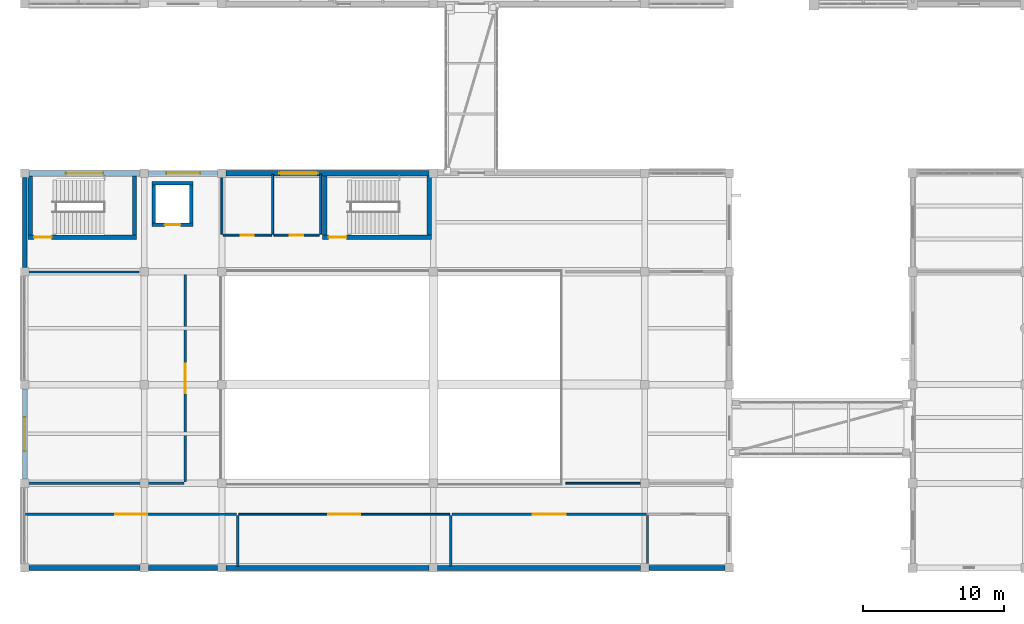
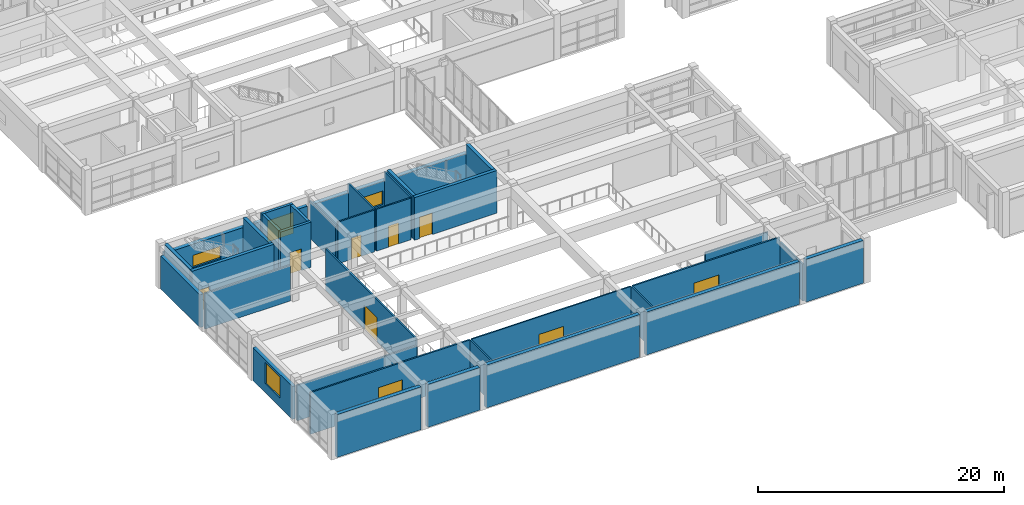
# One storey, part 46 of 72: 35 walls, 9 doors, 4 windows, 13 openings.
"""IFC4 building model written with IfcOpenShell, lengths in metres."""

from ifc_helpers import new_model, si_unit, direction, frame, frame_2d, origin, place, context, subcontext, project, spatial, rectangle, extrude, material, layer, layer_set, type_object, element, fill, save


model = new_model("IFC4")

# Units and contexts
model_context = context("Model", 3, precision=1e-05, world=origin(), true_north=direction((0.0, 1.0)))
body_context = subcontext(model_context, "Body", "Model", "MODEL_VIEW")
ifc_project = project(units=[si_unit("LENGTHUNIT", "METRE"), si_unit("AREAUNIT", "SQUARE_METRE"), si_unit("VOLUMEUNIT", "CUBIC_METRE"), si_unit("PLANEANGLEUNIT", "RADIAN"), si_unit("MASSUNIT", "GRAM", prefix="KILO")], contexts=[model_context])

# Site, building, storey
site_placement = place(None, origin())
site = spatial("IfcSite", under=ifc_project, at=site_placement, CompositionType="ELEMENT")
building_placement = place(site_placement, origin())
building = spatial("IfcBuilding", under=site, at=building_placement, Name="Naurynzar Civic Courthouse", CompositionType="ELEMENT")
storey_placement = place(building_placement, frame((0.0, 0.0, 9.89990234375)))
storey = spatial("IfcBuildingStorey", under=building, at=storey_placement, Name="L03", CompositionType="ELEMENT", Elevation=9.89990234375)

# Wall, opening, door
ifc_material_1 = material(Name="Concrete C40/50", Category="concrete")
ifc_layer_1 = layer(ifc_material_1, 0.300048828125)
ifc_layer_set_1 = layer_set([ifc_layer_1], Name="WL-CORE-300")
wall_type_1 = type_object("IfcWallType", Name="WL-CORE-300", PredefinedType="SHEAR", material=ifc_layer_set_1)
wall_1_placement = place(storey_placement, frame((6.25, 27.449951171875, 0.0), z_axis=(0.0, 0.0, 1.0), x_axis=(1.0, 0.0, 0.0)))
wall_1 = element("IfcWall", 1, at=wall_1_placement, inside=storey, type_object=wall_type_1, Name="Stair ST-V4A enclosure wall south L03", PredefinedType="SHEAR", context=body_context, shape_type="SweptSolid", body=[
    extrude(rectangle(XDim=7.699951171875, YDim=0.300048828125, at=frame_2d((3.85009765625, 0.0))), origin(), (0.0, 0.0, 1.0), 4.239990234375),
])
opening_1_placement = place(wall_1_placement, frame((0.425048828125, 0.0, 0.0)))
opening_1 = element("IfcOpeningElement", 2, at=opening_1_placement, cuts=wall_1, Name="Opening SD-014", PredefinedType="OPENING", context=body_context, shape_type="SweptSolid", body=[
    extrude(rectangle(XDim=1.25, YDim=2.14990234375, at=frame_2d((0.625, 1.074951171875))), frame((0.0, 0.159912109375, 0.0), z_axis=(0.0, -1.0, 0.0), x_axis=(1.0, 0.0, 0.0)), (0.0, 0.0, 1.0), 0.320068359375),
])
ifc_material_2 = material(Name="Powder-Coated Galvanised Steel", Category="steel")
door_type_1 = type_object("IfcDoorType", Name="DR-STAIR-1250x2150", OperationType="NOTDEFINED", PredefinedType="DOOR", material=ifc_material_2)
door_1_placement = place(opening_1_placement, origin())
door_1 = element("IfcDoor", 3, at=door_1_placement, inside=storey, type_object=door_type_1, Name="Stair ST-V4A fire door L03", OperationType="SINGLE_SWING_RIGHT", OverallHeight=2.14990234375, OverallWidth=1.25, PredefinedType="DOOR", context=body_context, shape_type="SweptSolid", body=[
    extrude(rectangle(XDim=1.25, YDim=2.14990234375, at=frame_2d((0.625, 1.074951171875))), frame((0.0, 0.02490234375, 0.0), z_axis=(0.0, -1.0, 0.0), x_axis=(1.0, 0.0, 0.0)), (0.0, 0.0, 1.0), 0.050048828125),
])
fill(opening_1, door_1)

# Walls
for number, where, z_axis, x_axis, name in (
    (4, (6.39990234375, 31.804931640625, 0.0), (0.0, 0.0, 1.0), (0.0, -1.0, 0.0), "Stair ST-V4A enclosure wall west L03"),
    (5, (13.800048828125, 27.60498046875, 0.0), (0.0, 0.0, 1.0), (0.0, 1.0, 0.0), "Stair ST-V4A enclosure wall east L03"),
):
    element("IfcWall", number, at=place(storey_placement, frame(where, z_axis=z_axis, x_axis=x_axis)), inside=storey, type_object=wall_type_1, Name=name, PredefinedType="SHEAR", context=body_context, shape_type="SweptSolid", body=[
        extrude(rectangle(XDim=4.199951171875, YDim=0.300048828125, at=frame_2d((2.10009765625, 0.0))), origin(), (0.0, 0.0, 1.0), 4.239990234375),
    ])

# Wall, opening, door
wall_2_placement = place(storey_placement, frame((27.14990234375, 27.449951171875, 0.0), z_axis=(0.0, 0.0, 1.0), x_axis=(1.0, 0.0, 0.0)))
wall_2 = element("IfcWall", 6, at=wall_2_placement, inside=storey, type_object=wall_type_1, Name="Stair ST-V4B enclosure wall south L03", PredefinedType="SHEAR", context=body_context, shape_type="SweptSolid", body=[
    extrude(rectangle(XDim=7.7001953125, YDim=0.300048828125, at=frame_2d((3.85009765625, 0.0))), origin(), (0.0, 0.0, 1.0), 4.239990234375),
])
opening_2_placement = place(wall_2_placement, frame((0.425048828125, 0.0, 0.0)))
opening_2 = element("IfcOpeningElement", 7, at=opening_2_placement, cuts=wall_2, Name="Opening SD-020", PredefinedType="OPENING", context=body_context, shape_type="SweptSolid", body=[
    extrude(rectangle(XDim=1.25, YDim=2.14990234375, at=frame_2d((0.625, 1.074951171875))), frame((0.0, 0.159912109375, 0.0), z_axis=(0.0, -1.0, 0.0), x_axis=(1.0, 0.0, 0.0)), (0.0, 0.0, 1.0), 0.320068359375),
])
door_2_placement = place(opening_2_placement, origin())
door_2 = element("IfcDoor", 8, at=door_2_placement, inside=storey, type_object=door_type_1, Name="Stair ST-V4B fire door L03", OperationType="SINGLE_SWING_RIGHT", OverallHeight=2.14990234375, OverallWidth=1.25, PredefinedType="DOOR", context=body_context, shape_type="SweptSolid", body=[
    extrude(rectangle(XDim=1.25, YDim=2.14990234375, at=frame_2d((0.625, 1.074951171875))), frame((0.0, 0.02490234375, 0.0), z_axis=(0.0, -1.0, 0.0), x_axis=(1.0, 0.0, 0.0)), (0.0, 0.0, 1.0), 0.050048828125),
])
fill(opening_2, door_2)

# Walls
for number, where, z_axis, x_axis, name in (
    (9, (27.300048828125, 31.804931640625, 0.0), (0.0, 0.0, 1.0), (0.0, -1.0, 0.0), "Stair ST-V4B enclosure wall west L03"),
    (10, (34.699951171875, 27.60498046875, 0.0), (0.0, 0.0, 1.0), (0.0, 1.0, 0.0), "Stair ST-V4B enclosure wall east L03"),
):
    element("IfcWall", number, at=place(storey_placement, frame(where, z_axis=z_axis, x_axis=x_axis)), inside=storey, type_object=wall_type_1, Name=name, PredefinedType="SHEAR", context=body_context, shape_type="SweptSolid", body=[
        extrude(rectangle(XDim=4.199951171875, YDim=0.300048828125, at=frame_2d((2.10009765625, 0.0))), origin(), (0.0, 0.0, 1.0), 4.239990234375),
    ])

# Wall, opening, window
ifc_material_3 = material(Name="Precast concrete C40/50", Category="concrete")
ifc_layer_2 = layer(ifc_material_3, 0.320068359375)
ifc_layer_set_2 = layer_set([ifc_layer_2], Name="WL-EXT-320")
wall_type_2 = type_object("IfcWallType", Name="WL-EXT-320", PredefinedType="SOLIDWALL", material=ifc_layer_set_2)
wall_3_placement = place(storey_placement, frame((6.0, 10.300048828125, 0.0), z_axis=(0.0, 0.0, 1.0), x_axis=(0.0, 1.0, 0.0)))
wall_3 = element("IfcWall", 11, at=wall_3_placement, inside=storey, type_object=wall_type_2, Name="V4 exterior wall west L03.2.1", PredefinedType="SOLIDWALL", context=body_context, shape_type="SweptSolid", body=[
    extrude(rectangle(XDim=6.39990234375, YDim=0.320068359375, at=frame_2d((3.199951171875, 0.0))), origin(), (0.0, 0.0, 1.0), 3.260009765625),
])
opening_3_placement = place(wall_3_placement, frame((2.0, 0.0, 0.89990234375)))
opening_3 = element("IfcOpeningElement", 12, at=opening_3_placement, cuts=wall_3, Name="Opening WN-01", PredefinedType="OPENING", context=body_context, shape_type="SweptSolid", body=[
    extrude(rectangle(XDim=2.39990234375, YDim=2.10009765625, at=frame_2d((1.199951171875, 1.050048828125))), frame((0.0, 0.169921875, 0.0), z_axis=(0.0, -1.0, 0.0), x_axis=(1.0, 0.0, 0.0)), (0.0, 0.0, 1.0), 0.340087890625),
])
ifc_material_4 = material(Name="Tempered Laminated Low-E Glass", Category="glass")
window_type_1 = type_object("IfcWindowType", Name="WIN-COURT-2400x2100", PartitioningType="DOUBLE_PANEL_VERTICAL", PredefinedType="WINDOW", material=ifc_material_4)
window_1_placement = place(opening_3_placement, origin())
window_1 = element("IfcWindow", 13, at=window_1_placement, inside=storey, type_object=window_type_1, Name="V4 window 222 L03", OverallHeight=2.10009765625, OverallWidth=2.39990234375, PartitioningType="SINGLE_PANEL", PredefinedType="WINDOW", context=body_context, shape_type="SweptSolid", body=[
    extrude(rectangle(XDim=2.39990234375, YDim=2.10009765625, at=frame_2d((1.199951171875, 1.050048828125))), frame((0.0, 0.030029296875, 0.0), z_axis=(0.0, -1.0, 0.0), x_axis=(1.0, 0.0, 0.0)), (0.0, 0.0, 1.0), 0.06005859375),
])
fill(opening_3, window_1)

# Wall
wall_4_placement = place(storey_placement, frame((6.0, 25.300048828125, 0.0), z_axis=(0.0, 0.0, 1.0), x_axis=(0.0, 1.0, 0.0)))
element("IfcWall", 14, at=wall_4_placement, inside=storey, type_object=wall_type_2, Name="V4 exterior wall west L03.4.1", PredefinedType="SOLIDWALL", context=body_context, shape_type="SweptSolid", body=[
    extrude(rectangle(XDim=6.39990234375, YDim=0.320068359375, at=frame_2d((3.199951171875, 0.0))), origin(), (0.0, 0.0, 1.0), 3.260009765625),
])

# Wall, opening, window
wall_5_placement = place(storey_placement, frame((14.800048828125, 32.0, 0.0), z_axis=(0.0, 0.0, 1.0), x_axis=(1.0, 0.0, 0.0)))
wall_5 = element("IfcWall", 15, at=wall_5_placement, inside=storey, type_object=wall_type_2, Name="V4 exterior wall north L03.2.1", PredefinedType="SOLIDWALL", context=body_context, shape_type="SweptSolid", body=[
    extrude(rectangle(XDim=4.89990234375, YDim=0.320068359375, at=frame_2d((2.449951171875, 0.0))), origin(), (0.0, 0.0, 1.0), 3.260009765625),
])
opening_4_placement = place(wall_5_placement, frame((1.25, 0.0, 0.89990234375)))
opening_4 = element("IfcOpeningElement", 16, at=opening_4_placement, cuts=wall_5, Name="Opening WN-01", PredefinedType="OPENING", context=body_context, shape_type="SweptSolid", body=[
    extrude(rectangle(XDim=2.39990234375, YDim=2.10009765625, at=frame_2d((1.199951171875, 1.050048828125))), frame((0.0, 0.169921875, 0.0), z_axis=(0.0, -1.0, 0.0), x_axis=(1.0, 0.0, 0.0)), (0.0, 0.0, 1.0), 0.340087890625),
])
window_2_placement = place(opening_4_placement, origin())
window_2 = element("IfcWindow", 17, at=window_2_placement, inside=storey, type_object=window_type_1, Name="V4 window 223 L03", OverallHeight=2.10009765625, OverallWidth=2.39990234375, PartitioningType="SINGLE_PANEL", PredefinedType="WINDOW", context=body_context, shape_type="SweptSolid", body=[
    extrude(rectangle(XDim=2.39990234375, YDim=2.10009765625, at=frame_2d((1.199951171875, 1.050048828125))), frame((0.0, 0.030029296875, 0.0), z_axis=(0.0, -1.0, 0.0), x_axis=(1.0, 0.0, 0.0)), (0.0, 0.0, 1.0), 0.06005859375),
])
fill(opening_4, window_2)

# Wall, opening, door
ifc_material_5 = material(Name="Fire-Rated Corridor Gypsum Partition")
ifc_layer_3 = layer(ifc_material_5, 0.14990234375)
ifc_layer_set_3 = layer_set([ifc_layer_3], Name="WL-PART-CORR-150")
wall_type_3 = type_object("IfcWallType", Name="WL-PART-CORR-150", PredefinedType="PARTITIONING", material=ifc_layer_set_3)
wall_6_placement = place(storey_placement, frame((6.080078125, 7.800048828125, 0.0), z_axis=(0.0, 0.0, 1.0), x_axis=(1.0, 0.0, 0.0)))
wall_6 = element("IfcWall", 18, at=wall_6_placement, inside=storey, type_object=wall_type_3, Name="V4 interior partition L03.306", PredefinedType="PARTITIONING", context=body_context, shape_type="SweptSolid", body=[
    extrude(rectangle(XDim=14.9599609375, YDim=0.14990234375, at=frame_2d((7.47998046875, 0.0))), origin(), (0.0, 0.0, 1.0), 4.14013671875),
])
opening_5_placement = place(wall_6_placement, frame((6.35498046875, 0.0, 0.0)))
opening_5 = element("IfcOpeningElement", 19, at=opening_5_placement, cuts=wall_6, Name="Opening D-075", PredefinedType="OPENING", context=body_context, shape_type="SweptSolid", body=[
    extrude(rectangle(XDim=2.25, YDim=2.39990234375, at=frame_2d((1.125, 1.199951171875))), frame((0.0, 0.0849609375, 0.0), z_axis=(0.0, -1.0, 0.0), x_axis=(1.0, 0.0, 0.0)), (0.0, 0.0, 1.0), 0.169921875),
])
ifc_material_6 = material(Name="Acoustic Oak Timber Grade A", Category="wood")
door_type_2 = type_object("IfcDoorType", Name="DR-SUITE-2250x2400", OperationType="DOUBLE_DOOR_SINGLE_SWING", PredefinedType="DOOR", material=ifc_material_6)
door_3_placement = place(opening_5_placement, origin())
door_3 = element("IfcDoor", 20, at=door_3_placement, inside=storey, type_object=door_type_2, Name="Interior door D-075 (Court Translation Suite)", OperationType="DOUBLE_DOOR_SINGLE_SWING", OverallHeight=2.39990234375, OverallWidth=2.25, PredefinedType="DOOR", context=body_context, shape_type="SweptSolid", body=[
    extrude(rectangle(XDim=2.25, YDim=2.39990234375, at=frame_2d((1.125, 1.199951171875))), frame((0.0, 0.02490234375, 0.0), z_axis=(0.0, -1.0, 0.0), x_axis=(1.0, 0.0, 0.0)), (0.0, 0.0, 1.0), 0.050048828125),
])
fill(opening_5, door_3)

wall_7_placement = place(storey_placement, frame((36.31005859375, 7.800048828125, 0.0), z_axis=(0.0, 0.0, 1.0), x_axis=(1.0, 0.0, 0.0)))
wall_7 = element("IfcWall", 21, at=wall_7_placement, inside=storey, type_object=wall_type_3, Name="V4 interior partition L03.308", PredefinedType="PARTITIONING", context=body_context, shape_type="SweptSolid", body=[
    extrude(rectangle(XDim=13.800048828125, YDim=0.14990234375, at=frame_2d((6.89990234375, 0.0))), origin(), (0.0, 0.0, 1.0), 4.14013671875),
])
opening_6_placement = place(wall_7_placement, frame((5.72509765625, 0.0, 0.0)))
opening_6 = element("IfcOpeningElement", 22, at=opening_6_placement, cuts=wall_7, Name="Opening D-077", PredefinedType="OPENING", context=body_context, shape_type="SweptSolid", body=[
    extrude(rectangle(XDim=2.35009765625, YDim=2.39990234375, at=frame_2d((1.175048828125, 1.199951171875))), frame((0.0, 0.0849609375, 0.0), z_axis=(0.0, -1.0, 0.0), x_axis=(1.0, 0.0, 0.0)), (0.0, 0.0, 1.0), 0.169921875),
])
ifc_material_7 = material(Name="Acoustic Oak Timber Grade A", Category="wood")
door_type_3 = type_object("IfcDoorType", Name="DR-SUITE-2350x2400", OperationType="DOUBLE_DOOR_SINGLE_SWING", PredefinedType="DOOR", material=ifc_material_7)
door_4_placement = place(opening_6_placement, origin())
door_4 = element("IfcDoor", 23, at=door_4_placement, inside=storey, type_object=door_type_3, Name="Interior door D-077 (Public Ombudsman Office)", OperationType="DOUBLE_DOOR_SINGLE_SWING", OverallHeight=2.39990234375, OverallWidth=2.35009765625, PredefinedType="DOOR", context=body_context, shape_type="SweptSolid", body=[
    extrude(rectangle(XDim=2.35009765625, YDim=2.39990234375, at=frame_2d((1.175048828125, 1.199951171875))), frame((0.0, 0.02490234375, 0.0), z_axis=(0.0, -1.0, 0.0), x_axis=(1.0, 0.0, 0.0)), (0.0, 0.0, 1.0), 0.050048828125),
])
fill(opening_6, door_4)

# Walls
wall_8_placement = place(storey_placement, frame((6.080078125, 10.0, 0.0), z_axis=(0.0, 0.0, 1.0), x_axis=(1.0, 0.0, 0.0)))
element("IfcWall", 24, at=wall_8_placement, inside=storey, type_object=wall_type_3, Name="V4 interior partition L03.313", PredefinedType="PARTITIONING", context=body_context, shape_type="SweptSolid", body=[
    extrude(rectangle(XDim=11.239990234375, YDim=0.14990234375, at=frame_2d((5.6201171875, 0.0))), origin(), (0.0, 0.0, 1.0), 3.530029296875),
])
wall_9_placement = place(storey_placement, frame((6.080078125, 25.0, 0.0), z_axis=(0.0, 0.0, 1.0), x_axis=(1.0, 0.0, 0.0)))
element("IfcWall", 25, at=wall_9_placement, inside=storey, type_object=wall_type_3, Name="V4 interior partition L03.325", PredefinedType="PARTITIONING", context=body_context, shape_type="SweptSolid", body=[
    extrude(rectangle(XDim=8.02001953125, YDim=0.14990234375, at=frame_2d((4.010009765625, 0.0))), origin(), (0.0, 0.0, 1.0), 3.530029296875),
])

# Wall, opening, door
wall_10_placement = place(storey_placement, frame((17.39990234375, 10.080078125, 0.0), z_axis=(0.0, 0.0, 1.0), x_axis=(0.0, 1.0, 0.0)))
wall_10 = element("IfcWall", 26, at=wall_10_placement, inside=storey, type_object=wall_type_3, Name="V4 interior partition L03.385", PredefinedType="PARTITIONING", context=body_context, shape_type="SweptSolid", body=[
    extrude(rectangle(XDim=14.719970703125, YDim=0.14990234375, at=frame_2d((7.35986328125, 0.0))), origin(), (0.0, 0.0, 1.0), 4.14013671875),
])
opening_7_placement = place(wall_10_placement, frame((6.31005859375, 0.0, 0.0)))
opening_7 = element("IfcOpeningElement", 27, at=opening_7_placement, cuts=wall_10, Name="Opening D-073", PredefinedType="OPENING", context=body_context, shape_type="SweptSolid", body=[
    extrude(rectangle(XDim=2.10009765625, YDim=2.35009765625, at=frame_2d((1.050048828125, 1.175048828125))), frame((0.0, 0.0849609375, 0.0), z_axis=(0.0, -1.0, 0.0), x_axis=(1.0, 0.0, 0.0)), (0.0, 0.0, 1.0), 0.169921875),
])
ifc_material_8 = material(Name="Acoustic Oak Timber Grade A", Category="wood")
door_type_4 = type_object("IfcDoorType", Name="DR-SUITE-2100x2350", OperationType="DOUBLE_DOOR_SINGLE_SWING", PredefinedType="DOOR", material=ifc_material_8)
door_5_placement = place(opening_7_placement, origin())
door_5 = element("IfcDoor", 28, at=door_5_placement, inside=storey, type_object=door_type_4, Name="Interior door D-073 (Citizen E-Justice Service Hall)", OperationType="DOUBLE_DOOR_SINGLE_SWING", OverallHeight=2.35009765625, OverallWidth=2.10009765625, PredefinedType="DOOR", context=body_context, shape_type="SweptSolid", body=[
    extrude(rectangle(XDim=2.10009765625, YDim=2.35009765625, at=frame_2d((1.050048828125, 1.175048828125))), frame((0.0, 0.02490234375, 0.0), z_axis=(0.0, -1.0, 0.0), x_axis=(1.0, 0.0, 0.0)), (0.0, 0.0, 1.0), 0.050048828125),
])
fill(opening_7, door_5)

# Walls
for number, where, z_axis, x_axis, name in (
    (29, (21.1201171875, 4.080078125, 0.0), (0.0, 0.0, 1.0), (0.0, 1.0, 0.0), "V4 interior partition L03.388"),
    (30, (36.22998046875, 4.080078125, 0.0), (0.0, 0.0, 1.0), (0.0, 1.0, 0.0), "V4 interior partition L03.395"),
):
    element("IfcWall", number, at=place(storey_placement, frame(where, z_axis=z_axis, x_axis=x_axis)), inside=storey, type_object=wall_type_3, Name=name, PredefinedType="PARTITIONING", context=body_context, shape_type="SweptSolid", body=[
        extrude(rectangle(XDim=3.639892578125, YDim=0.14990234375, at=frame_2d((1.81982421875, 0.0))), origin(), (0.0, 0.0, 1.0), 4.14013671875),
    ])
wall_11_placement = place(storey_placement, frame((50.18994140625, 4.080078125, 0.0), z_axis=(0.0, 0.0, 1.0), x_axis=(0.0, 1.0, 0.0)))
element("IfcWall", 31, at=wall_11_placement, inside=storey, type_object=wall_type_3, Name="V4 interior partition L03.397", PredefinedType="PARTITIONING", context=body_context, shape_type="SweptSolid", body=[
    extrude(rectangle(XDim=3.639892578125, YDim=0.14990234375, at=frame_2d((1.81982421875, 0.0))), origin(), (0.0, 0.0, 1.0), 3.68017578125),
])

# Wall, opening, door
ifc_material_9 = material(Name="Metal-Stud Gypsum Partition")
ifc_layer_4 = layer(ifc_material_9, 0.125)
ifc_layer_set_4 = layer_set([ifc_layer_4], Name="WL-PART-STD-125")
wall_type_4 = type_object("IfcWallType", Name="WL-PART-STD-125", PredefinedType="PARTITIONING", material=ifc_layer_set_4)
wall_12_placement = place(storey_placement, frame((21.199951171875, 7.800048828125, 0.0), z_axis=(0.0, 0.0, 1.0), x_axis=(1.0, 0.0, 0.0)))
wall_12 = element("IfcWall", 32, at=wall_12_placement, inside=storey, type_object=wall_type_4, Name="V4 interior partition L03.307", PredefinedType="PARTITIONING", context=body_context, shape_type="SweptSolid", body=[
    extrude(rectangle(XDim=14.949951171875, YDim=0.125, at=frame_2d((7.47509765625, 0.0))), origin(), (0.0, 0.0, 1.0), 4.14013671875),
])
opening_8_placement = place(wall_12_placement, frame((6.324951171875, 0.0, 0.0)))
opening_8 = element("IfcOpeningElement", 33, at=opening_8_placement, cuts=wall_12, Name="Opening D-076", PredefinedType="OPENING", context=body_context, shape_type="SweptSolid", body=[
    extrude(rectangle(XDim=2.300048828125, YDim=2.39990234375, at=frame_2d((1.14990234375, 1.199951171875))), frame((0.0, 0.072509765625, 0.0), z_axis=(0.0, -1.0, 0.0), x_axis=(1.0, 0.0, 0.0)), (0.0, 0.0, 1.0), 0.14501953125),
])
ifc_material_10 = material(Name="Acoustic Oak Timber Grade A", Category="wood")
door_type_5 = type_object("IfcDoorType", Name="DR-SUITE-2300x2400", OperationType="DOUBLE_DOOR_SINGLE_SWING", PredefinedType="DOOR", material=ifc_material_10)
door_6_placement = place(opening_8_placement, origin())
door_6 = element("IfcDoor", 34, at=door_6_placement, inside=storey, type_object=door_type_5, Name="Interior door D-076 (Legal Aid Consultation Room)", OperationType="DOUBLE_DOOR_SINGLE_SWING", OverallHeight=2.39990234375, OverallWidth=2.300048828125, PredefinedType="DOOR", context=body_context, shape_type="SweptSolid", body=[
    extrude(rectangle(XDim=2.300048828125, YDim=2.39990234375, at=frame_2d((1.14990234375, 1.199951171875))), frame((0.0, 0.02490234375, 0.0), z_axis=(0.0, -1.0, 0.0), x_axis=(1.0, 0.0, 0.0)), (0.0, 0.0, 1.0), 0.050048828125),
])
fill(opening_8, door_6)

# Wall
wall_13_placement = place(storey_placement, frame((44.39990234375, 10.0, 0.0), z_axis=(0.0, 0.0, 1.0), x_axis=(1.0, 0.0, 0.0)))
element("IfcWall", 35, at=wall_13_placement, inside=storey, type_object=wall_type_4, Name="V4 interior partition L03.314a", PredefinedType="PARTITIONING", context=body_context, shape_type="SweptSolid", body=[
    extrude(rectangle(XDim=5.900146484375, YDim=0.125, at=frame_2d((2.9501953125, 0.0))), origin(), (0.0, 0.0, 1.0), 3.280029296875),
])

# Wall, opening, door
ifc_material_11 = material(Name="Moisture-Resistant Plumbing Partition")
ifc_layer_5 = layer(ifc_material_11, 0.139892578125)
ifc_layer_set_5 = layer_set([ifc_layer_5], Name="WL-PART-WC-140")
wall_type_5 = type_object("IfcWallType", Name="WL-PART-WC-140", PredefinedType="PLUMBINGWALL", material=ifc_layer_set_5)
wall_14_placement = place(storey_placement, frame((20.080078125, 27.60009765625, 0.0), z_axis=(0.0, 0.0, 1.0), x_axis=(1.0, 0.0, 0.0)))
wall_14 = element("IfcWall", 36, at=wall_14_placement, inside=storey, type_object=wall_type_5, Name="V4 interior partition L03.332", PredefinedType="PLUMBINGWALL", context=body_context, shape_type="SweptSolid", body=[
    extrude(rectangle(XDim=3.43994140625, YDim=0.139892578125, at=frame_2d((1.719970703125, 0.0))), origin(), (0.0, 0.0, 1.0), 4.14013671875),
])
opening_9_placement = place(wall_14_placement, frame((1.260009765625, 0.0, 0.0)))
opening_9 = element("IfcOpeningElement", 37, at=opening_9_placement, cuts=wall_14, Name="Opening D-071", PredefinedType="OPENING", context=body_context, shape_type="SweptSolid", body=[
    extrude(rectangle(XDim=0.919921875, YDim=2.10009765625, at=frame_2d((0.4599609375, 1.050048828125))), frame((0.0, 0.079833984375, 0.0), z_axis=(0.0, -1.0, 0.0), x_axis=(1.0, 0.0, 0.0)), (0.0, 0.0, 1.0), 0.159912109375),
])
ifc_material_12 = material(Name="Acoustic Oak Timber Grade A", Category="wood")
door_type_6 = type_object("IfcDoorType", Name="DR-WC-STD-920x2100", OperationType="NOTDEFINED", PredefinedType="DOOR", material=ifc_material_12)
door_7_placement = place(opening_9_placement, origin())
door_7 = element("IfcDoor", 38, at=door_7_placement, inside=storey, type_object=door_type_6, Name="Interior door D-071 (Public WC V4)", OperationType="SINGLE_SWING_LEFT", OverallHeight=2.10009765625, OverallWidth=0.919921875, PredefinedType="DOOR", context=body_context, shape_type="SweptSolid", body=[
    extrude(rectangle(XDim=0.919921875, YDim=2.10009765625, at=frame_2d((0.4599609375, 1.050048828125))), frame((0.0, 0.02490234375, 0.0), z_axis=(0.0, -1.0, 0.0), x_axis=(1.0, 0.0, 0.0)), (0.0, 0.0, 1.0), 0.050048828125),
])
fill(opening_9, door_7)

wall_15_placement = place(storey_placement, frame((23.679931640625, 27.60009765625, 0.0), z_axis=(0.0, 0.0, 1.0), x_axis=(1.0, 0.0, 0.0)))
wall_15 = element("IfcWall", 39, at=wall_15_placement, inside=storey, type_object=wall_type_5, Name="V4 interior partition L03.333", PredefinedType="PLUMBINGWALL", context=body_context, shape_type="SweptSolid", body=[
    extrude(rectangle(XDim=3.239990234375, YDim=0.139892578125, at=frame_2d((1.6201171875, 0.0))), origin(), (0.0, 0.0, 1.0), 4.14013671875),
])
opening_10_placement = place(wall_15_placement, frame((1.139892578125, 0.0, 0.0)))
opening_10 = element("IfcOpeningElement", 40, at=opening_10_placement, cuts=wall_15, Name="Opening D-072", PredefinedType="OPENING", context=body_context, shape_type="SweptSolid", body=[
    extrude(rectangle(XDim=0.9599609375, YDim=2.10009765625, at=frame_2d((0.47998046875, 1.050048828125))), frame((0.0, 0.079833984375, 0.0), z_axis=(0.0, -1.0, 0.0), x_axis=(1.0, 0.0, 0.0)), (0.0, 0.0, 1.0), 0.159912109375),
])
ifc_material_13 = material(Name="Acoustic Oak Timber Grade A", Category="wood")
door_type_7 = type_object("IfcDoorType", Name="DR-WC-ACC-960x2100", OperationType="NOTDEFINED", PredefinedType="DOOR", material=ifc_material_13)
door_8_placement = place(opening_10_placement, origin())
door_8 = element("IfcDoor", 41, at=door_8_placement, inside=storey, type_object=door_type_7, Name="Interior door D-072 (Accessible WC V4)", OperationType="SINGLE_SWING_RIGHT", OverallHeight=2.10009765625, OverallWidth=0.9599609375, PredefinedType="DOOR", context=body_context, shape_type="SweptSolid", body=[
    extrude(rectangle(XDim=0.9599609375, YDim=2.10009765625, at=frame_2d((0.47998046875, 1.050048828125))), frame((0.0, 0.02490234375, 0.0), z_axis=(0.0, -1.0, 0.0), x_axis=(1.0, 0.0, 0.0)), (0.0, 0.0, 1.0), 0.050048828125),
])
fill(opening_10, door_8)

# Walls
wall_16_placement = place(storey_placement, frame((20.0, 27.679931640625, 0.0), z_axis=(0.0, 0.0, 1.0), x_axis=(0.0, 1.0, 0.0)))
element("IfcWall", 42, at=wall_16_placement, inside=storey, type_object=wall_type_5, Name="V4 interior partition L03.387", PredefinedType="PLUMBINGWALL", context=body_context, shape_type="SweptSolid", body=[
    extrude(rectangle(XDim=4.239990234375, YDim=0.139892578125, at=frame_2d((2.1201171875, 0.0))), origin(), (0.0, 0.0, 1.0), 3.68017578125),
])
for number, where, z_axis, x_axis, name in (
    (43, (23.60009765625, 27.679931640625, 0.0), (0.0, 0.0, 1.0), (0.0, 1.0, 0.0), "V4 interior partition L03.389"),
    (44, (27.0, 27.679931640625, 0.0), (0.0, 0.0, 1.0), (0.0, 1.0, 0.0), "V4 interior partition L03.390"),
):
    element("IfcWall", number, at=place(storey_placement, frame(where, z_axis=z_axis, x_axis=x_axis)), inside=storey, type_object=wall_type_5, Name=name, PredefinedType="PLUMBINGWALL", context=body_context, shape_type="SweptSolid", body=[
        extrude(rectangle(XDim=4.239990234375, YDim=0.139892578125, at=frame_2d((2.1201171875, 0.0))), origin(), (0.0, 0.0, 1.0), 4.14013671875),
    ])
ifc_material_14 = material(Name="Concrete C40/50", Category="concrete")
ifc_layer_6 = layer(ifc_material_14, 0.360107421875)
ifc_layer_set_6 = layer_set([ifc_layer_6], Name="WL-PARTY-360")
wall_type_6 = type_object("IfcWallType", Name="WL-PARTY-360", PredefinedType="SOLIDWALL", material=ifc_layer_set_6)
wall_17_placement = place(storey_placement, frame((55.699951171875, 4.0, 0.0), z_axis=(0.0, 0.0, 1.0), x_axis=(-1.0, 0.0, 0.0)))
element("IfcWall", 45, at=wall_17_placement, inside=storey, type_object=wall_type_6, Name="V4 solid seismic party wall L03 1", PredefinedType="SOLIDWALL", context=body_context, shape_type="SweptSolid", body=[
    extrude(rectangle(XDim=5.39990234375, YDim=0.360107421875, at=frame_2d((2.699951171875, 0.0))), origin(), (0.0, 0.0, 1.0), 4.239990234375),
])
for number, where, z_axis, x_axis, name in (
    (46, (49.699951171875, 4.0, 0.0), (0.0, 0.0, 1.0), (-1.0, 0.0, 0.0), "V4 solid seismic party wall L03 2"),
    (47, (34.699951171875, 4.0, 0.0), (0.0, 0.0, 1.0), (-1.0, 0.0, 0.0), "V4 solid seismic party wall L03 3"),
):
    element("IfcWall", number, at=place(storey_placement, frame(where, z_axis=z_axis, x_axis=x_axis)), inside=storey, type_object=wall_type_6, Name=name, PredefinedType="SOLIDWALL", context=body_context, shape_type="SweptSolid", body=[
        extrude(rectangle(XDim=14.39990234375, YDim=0.360107421875, at=frame_2d((7.199951171875, 0.0))), origin(), (0.0, 0.0, 1.0), 4.239990234375),
    ])
wall_18_placement = place(storey_placement, frame((19.699951171875, 4.0, 0.0), z_axis=(0.0, 0.0, 1.0), x_axis=(-1.0, 0.0, 0.0)))
element("IfcWall", 48, at=wall_18_placement, inside=storey, type_object=wall_type_6, Name="V4 solid seismic party wall L03 4", PredefinedType="SOLIDWALL", context=body_context, shape_type="SweptSolid", body=[
    extrude(rectangle(XDim=4.89990234375, YDim=0.360107421875, at=frame_2d((2.449951171875, 0.0))), origin(), (0.0, 0.0, 1.0), 4.239990234375),
])
wall_19_placement = place(storey_placement, frame((14.199951171875, 4.0, 0.0), z_axis=(0.0, 0.0, 1.0), x_axis=(-1.0, 0.0, 0.0)))
element("IfcWall", 49, at=wall_19_placement, inside=storey, type_object=wall_type_6, Name="V4 solid seismic party wall L03 5", PredefinedType="SOLIDWALL", context=body_context, shape_type="SweptSolid", body=[
    extrude(rectangle(XDim=7.89990234375, YDim=0.360107421875, at=frame_2d((3.949951171875, 0.0))), origin(), (0.0, 0.0, 1.0), 4.239990234375),
])

# Wall, opening, window
ifc_material_15 = material(Name="Concrete C40/50", Category="concrete")
ifc_layer_7 = layer(ifc_material_15, 0.3798828125)
ifc_layer_set_7 = layer_set([ifc_layer_7], Name="WL-RET-380")
wall_type_7 = type_object("IfcWallType", Name="WL-RET-380", PredefinedType="STANDARD", material=ifc_layer_set_7)
wall_20_placement = place(storey_placement, frame((6.300048828125, 32.0, 0.0), z_axis=(0.0, 0.0, 1.0), x_axis=(1.0, 0.0, 0.0)))
wall_20 = element("IfcWall", 50, at=wall_20_placement, inside=storey, type_object=wall_type_7, Name="V4 exterior wall north L03.1.1", PredefinedType="STANDARD", context=body_context, shape_type="SweptSolid", body=[
    extrude(rectangle(XDim=7.89990234375, YDim=0.3798828125, at=frame_2d((3.949951171875, 0.0))), origin(), (0.0, 0.0, 1.0), 3.260009765625),
])
opening_11_placement = place(wall_20_placement, frame((2.625, 0.0, 0.949951171875)))
opening_11 = element("IfcOpeningElement", 51, at=opening_11_placement, cuts=wall_20, Name="Opening WM-23", PredefinedType="OPENING", context=body_context, shape_type="SweptSolid", body=[
    extrude(rectangle(XDim=2.64990234375, YDim=1.199951171875, at=frame_2d((1.324951171875, 0.60009765625))), frame((0.0, 0.199951171875, 0.0), z_axis=(0.0, -1.0, 0.0), x_axis=(1.0, 0.0, 0.0)), (0.0, 0.0, 1.0), 0.39990234375),
])
ifc_material_16 = material(Name="Tempered Laminated Low-E Glass", Category="glass")
window_type_2 = type_object("IfcWindowType", Name="WIN-MOD-2650x1200", PartitioningType="DOUBLE_PANEL_VERTICAL", PredefinedType="WINDOW", material=ifc_material_16)
window_3_placement = place(opening_11_placement, origin())
window_3 = element("IfcWindow", 52, at=window_3_placement, inside=storey, type_object=window_type_2, Name="Modular glazed window 23", OverallHeight=1.199951171875, OverallWidth=2.64990234375, PartitioningType="SINGLE_PANEL", PredefinedType="WINDOW", context=body_context, shape_type="SweptSolid", body=[
    extrude(rectangle(XDim=2.64990234375, YDim=1.199951171875, at=frame_2d((1.324951171875, 0.60009765625))), frame((0.0, 0.030029296875, 0.0), z_axis=(0.0, -1.0, 0.0), x_axis=(1.0, 0.0, 0.0)), (0.0, 0.0, 1.0), 0.06005859375),
])
fill(opening_11, window_3)

wall_21_placement = place(storey_placement, frame((20.300048828125, 32.0, 0.0), z_axis=(0.0, 0.0, 1.0), x_axis=(1.0, 0.0, 0.0)))
wall_21 = element("IfcWall", 53, at=wall_21_placement, inside=storey, type_object=wall_type_7, Name="V4 exterior wall north L03.3.1", PredefinedType="STANDARD", context=body_context, shape_type="SweptSolid", body=[
    extrude(rectangle(XDim=14.39990234375, YDim=0.3798828125, at=frame_2d((7.199951171875, 0.0))), origin(), (0.0, 0.0, 1.0), 3.260009765625),
])
opening_12_placement = place(wall_21_placement, frame((3.780029296875, 0.0, 0.949951171875)))
opening_12 = element("IfcOpeningElement", 54, at=opening_12_placement, cuts=wall_21, Name="Opening WM-24", PredefinedType="OPENING", context=body_context, shape_type="SweptSolid", body=[
    extrude(rectangle(XDim=2.699951171875, YDim=1.35009765625, at=frame_2d((1.35009765625, 0.675048828125))), frame((0.0, 0.199951171875, 0.0), z_axis=(0.0, -1.0, 0.0), x_axis=(1.0, 0.0, 0.0)), (0.0, 0.0, 1.0), 0.39990234375),
])
ifc_material_17 = material(Name="Tempered Laminated Low-E Glass", Category="glass")
window_type_3 = type_object("IfcWindowType", Name="WIN-MOD-2700x1350", PartitioningType="DOUBLE_PANEL_VERTICAL", PredefinedType="WINDOW", material=ifc_material_17)
window_4_placement = place(opening_12_placement, origin())
window_4 = element("IfcWindow", 55, at=window_4_placement, inside=storey, type_object=window_type_3, Name="Modular glazed window 24", OverallHeight=1.35009765625, OverallWidth=2.699951171875, PartitioningType="SINGLE_PANEL", PredefinedType="WINDOW", context=body_context, shape_type="SweptSolid", body=[
    extrude(rectangle(XDim=2.699951171875, YDim=1.35009765625, at=frame_2d((1.35009765625, 0.675048828125))), frame((0.0, 0.030029296875, 0.0), z_axis=(0.0, -1.0, 0.0), x_axis=(1.0, 0.0, 0.0)), (0.0, 0.0, 1.0), 0.06005859375),
])
fill(opening_12, window_4)

# Wall, opening, door
ifc_material_18 = material(Name="Concrete C40/50", Category="concrete")
ifc_layer_8 = layer(ifc_material_18, 0.25)
ifc_layer_set_8 = layer_set([ifc_layer_8], Name="WL-SHAFT-250")
wall_type_8 = type_object("IfcWallType", Name="WL-SHAFT-250", PredefinedType="SHEAR", material=ifc_layer_set_8)
wall_22_placement = place(storey_placement, frame((15.050048828125, 28.324951171875, 0.0), z_axis=(0.0, 0.0, 1.0), x_axis=(1.0, 0.0, 0.0)))
wall_22 = element("IfcWall", 56, at=wall_22_placement, inside=storey, type_object=wall_type_8, Name="Lift LP-02 shaft wall south L03", PredefinedType="SHEAR", context=body_context, shape_type="SweptSolid", body=[
    extrude(rectangle(XDim=2.89990234375, YDim=0.25, at=frame_2d((1.449951171875, 0.0))), origin(), (0.0, 0.0, 1.0), 4.5),
])
opening_13_placement = place(wall_22_placement, frame((0.89990234375, 0.0, 0.0)))
opening_13 = element("IfcOpeningElement", 57, at=opening_13_placement, cuts=wall_22, Name="Opening LD-014", PredefinedType="OPENING", context=body_context, shape_type="SweptSolid", body=[
    extrude(rectangle(XDim=1.10009765625, YDim=2.14990234375, at=frame_2d((0.550048828125, 1.074951171875))), frame((0.0, 0.135009765625, 0.0), z_axis=(0.0, -1.0, 0.0), x_axis=(1.0, 0.0, 0.0)), (0.0, 0.0, 1.0), 0.27001953125),
])
ifc_material_19 = material(Name="Brushed Stainless Steel 304", Category="steel")
door_type_8 = type_object("IfcDoorType", Name="DR-LIFT-SLIDE-1100x2150", OperationType="DOUBLE_DOOR_SLIDING", PredefinedType="DOOR", material=ifc_material_19)
door_9_placement = place(opening_13_placement, origin())
door_9 = element("IfcDoor", 58, at=door_9_placement, inside=storey, type_object=door_type_8, Name="Lift LP-02 sliding landing door L03", OperationType="DOUBLE_DOOR_SLIDING", OverallHeight=2.14990234375, OverallWidth=1.10009765625, PredefinedType="DOOR", context=body_context, shape_type="SweptSolid", body=[
    extrude(rectangle(XDim=1.10009765625, YDim=2.14990234375, at=frame_2d((0.550048828125, 1.074951171875))), frame((0.0, 0.02490234375, 0.0), z_axis=(0.0, -1.0, 0.0), x_axis=(1.0, 0.0, 0.0)), (0.0, 0.0, 1.0), 0.050048828125),
])
fill(opening_13, door_9)

# Walls
wall_23_placement = place(storey_placement, frame((17.949951171875, 31.27490234375, 0.0), z_axis=(0.0, 0.0, 1.0), x_axis=(-1.0, 0.0, 0.0)))
element("IfcWall", 59, at=wall_23_placement, inside=storey, type_object=wall_type_8, Name="Lift LP-02 shaft wall north L03", PredefinedType="SHEAR", context=body_context, shape_type="SweptSolid", body=[
    extrude(rectangle(XDim=2.89990234375, YDim=0.25, at=frame_2d((1.449951171875, 0.0))), origin(), (0.0, 0.0, 1.0), 4.5),
])
for number, where, z_axis, x_axis, name in (
    (60, (15.175048828125, 31.14501953125, 0.0), (0.0, 0.0, 1.0), (0.0, -1.0, 0.0), "Lift LP-02 shaft wall west L03"),
    (61, (17.824951171875, 28.455078125, 0.0), (0.0, 0.0, 1.0), (0.0, 1.0, 0.0), "Lift LP-02 shaft wall east L03"),
):
    element("IfcWall", number, at=place(storey_placement, frame(where, z_axis=z_axis, x_axis=x_axis)), inside=storey, type_object=wall_type_8, Name=name, PredefinedType="SHEAR", context=body_context, shape_type="SweptSolid", body=[
        extrude(rectangle(XDim=2.68994140625, YDim=0.25, at=frame_2d((1.344970703125, 0.0))), origin(), (0.0, 0.0, 1.0), 4.5),
    ])

save(model, "model.ifc")
